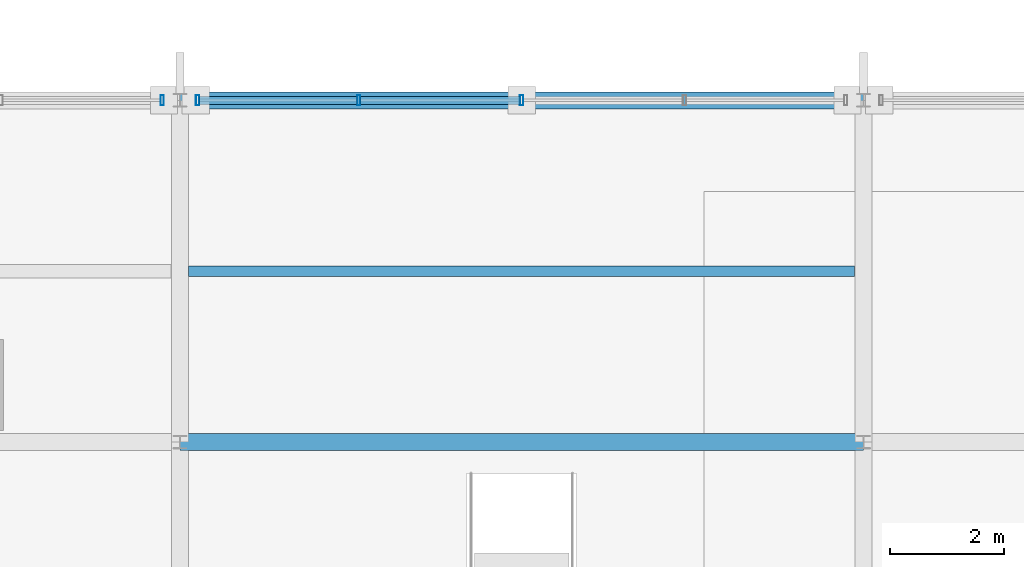
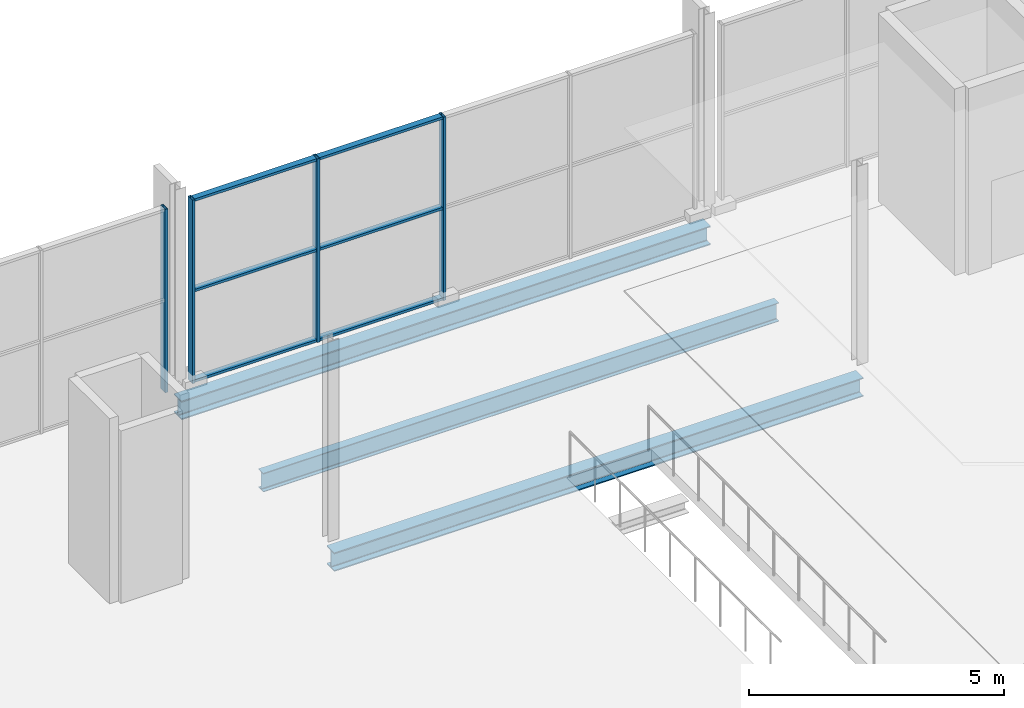
# One storey, part 59 of 159: 10 members, 3 beams, 2 elements without a shape of their own.
"""IFC4 building model written with IfcOpenShell, lengths in metres."""

from ifc_helpers import new_model, si_unit, direction, frame, origin, origin_2d, place, context, subcontext, project, spatial, hollow_rectangle, i_section, extrude, material, material_profile, profile_set, type_object, element, aggregate, save


model = new_model("IFC4")

# Units and contexts
model_context = context("Model", 3, precision=1e-05, world=origin(), true_north=direction((0.0, 1.0)))
body_context = subcontext(model_context, "Body", "Model", "MODEL_VIEW")
ifc_project = project(units=[si_unit("LENGTHUNIT", "METRE"), si_unit("AREAUNIT", "SQUARE_METRE"), si_unit("VOLUMEUNIT", "CUBIC_METRE"), si_unit("PLANEANGLEUNIT", "RADIAN"), si_unit("MASSUNIT", "GRAM", prefix="KILO")], contexts=[model_context])

# Site, building, storey
site_placement = place(None, origin())
site = spatial("IfcSite", under=ifc_project, at=site_placement, CompositionType="ELEMENT")
building_placement = place(site_placement, origin())
building = spatial("IfcBuilding", under=site, at=building_placement, Name="Merenkruunu Market Hall", CompositionType="ELEMENT")
storey_placement = place(building_placement, frame((0.0, 0.0, 5.39990234375)))
storey = spatial("IfcBuildingStorey", under=building, at=storey_placement, Name="L01", CompositionType="ELEMENT", Elevation=5.39990234375)

# Curtain wall, member
ifc_material_1 = material(Name="Powder-coated aluminium", Category="aluminium")
curtain_wall_type = type_object("IfcCurtainWallType", Name="Glazed Curtain Wall CW05", PredefinedType="USERDEFINED", material=ifc_material_1)
curtain_wall_1_placement = place(storey_placement, origin())
curtain_wall_1 = element("IfcCurtainWall", 1, at=curtain_wall_1_placement, inside=storey, type_object=curtain_wall_type, Name="CW-L01-CWM02-183", ObjectType="GLAZED_FACADE", PredefinedType="USERDEFINED")
ifc_material_profile_1 = material_profile(ifc_material_1, hollow_rectangle(XDim=0.06005859375, YDim=0.179931640625, WallThickness=0.00390625, at=origin_2d()), Name="ALU 60x180x4")
ifc_profile_set_1 = profile_set([ifc_material_profile_1], Name="Powder-coated aluminium")
member_type_1 = type_object("IfcMemberType", Name="Curtain Wall Mullion CWM02", PredefinedType="MULLION", material=ifc_profile_set_1)
member_1_placement = place(storey_placement, frame((88.489990234375, 45.60009765625, 0.0), z_axis=(0.0, 0.0, 1.0), x_axis=(1.0, 0.0, 0.0)))
member_1 = element("IfcMember", 2, at=member_1_placement, type_object=member_type_1, Name="CW05 mullion 5", PredefinedType="MULLION", context=body_context, shape_type="SweptSolid", body=[
    extrude(hollow_rectangle(XDim=0.06005859375, YDim=0.179931640625, WallThickness=0.00390625, at=origin_2d()), origin(), (0.0, 0.0, 1.0), 4.400146484375),
])
aggregate(curtain_wall_1, [member_1])

# Curtain wall, members
curtain_wall_2_placement = place(storey_placement, origin())
curtain_wall_2 = element("IfcCurtainWall", 3, at=curtain_wall_2_placement, inside=storey, type_object=curtain_wall_type, Name="CW-L01-CWM02-185", ObjectType="GLAZED_FACADE", PredefinedType="USERDEFINED")
member_2_placement = place(storey_placement, frame((89.110107421875, 45.60009765625, 0.0), z_axis=(0.0, 0.0, 1.0), x_axis=(1.0, 0.0, 0.0)))
member_2 = element("IfcMember", 4, at=member_2_placement, type_object=member_type_1, Name="CW05 mullion 1", PredefinedType="MULLION", context=body_context, shape_type="SweptSolid", body=[
    extrude(hollow_rectangle(XDim=0.06005859375, YDim=0.179931640625, WallThickness=0.00390625, at=origin_2d()), origin(), (0.0, 0.0, 1.0), 4.400146484375),
])
member_3_placement = place(storey_placement, frame((91.93994140625, 45.60009765625, 0.0), z_axis=(0.0, 0.0, 1.0), x_axis=(1.0, 0.0, 0.0)))
member_3 = element("IfcMember", 5, at=member_3_placement, type_object=member_type_1, Name="CW05 mullion 2", PredefinedType="MULLION", context=body_context, shape_type="SweptSolid", body=[
    extrude(hollow_rectangle(XDim=0.06005859375, YDim=0.179931640625, WallThickness=0.00390625, at=origin_2d()), origin(), (0.0, 0.0, 1.0), 4.400146484375),
])
member_4_placement = place(storey_placement, frame((94.800048828125, 45.60009765625, 0.0), z_axis=(0.0, 0.0, 1.0), x_axis=(1.0, 0.0, 0.0)))
member_4 = element("IfcMember", 6, at=member_4_placement, type_object=member_type_1, Name="CW05 mullion 3", PredefinedType="MULLION", context=body_context, shape_type="SweptSolid", body=[
    extrude(hollow_rectangle(XDim=0.06005859375, YDim=0.179931640625, WallThickness=0.00390625, at=origin_2d()), origin(), (0.0, 0.0, 1.0), 4.400146484375),
])
ifc_material_profile_2 = material_profile(ifc_material_1, hollow_rectangle(XDim=0.06005859375, YDim=0.139892578125, WallThickness=0.00390625, at=origin_2d()), Name="ALU 60x140x4")
ifc_profile_set_2 = profile_set([ifc_material_profile_2], Name="Powder-coated aluminium")
member_type_2 = type_object("IfcMemberType", Name="Curtain Wall Transom CWT02", PredefinedType="USERDEFINED", material=ifc_profile_set_2)
member_5_placement = place(storey_placement, frame((89.139892578125, 45.60009765625, 0.030029296875), z_axis=(1.0, 0.0, 0.0), x_axis=(0.0, 0.0, 1.0)))
member_5 = element("IfcMember", 7, at=member_5_placement, type_object=member_type_2, Name="CW05 transom 1.1", ObjectType="TRANSOM", PredefinedType="USERDEFINED", context=body_context, shape_type="SweptSolid", body=[
    extrude(hollow_rectangle(XDim=0.06005859375, YDim=0.139892578125, WallThickness=0.00390625, at=origin_2d()), origin(), (0.0, 0.0, 1.0), 2.77001953125),
])
member_6_placement = place(storey_placement, frame((89.139892578125, 45.60009765625, 2.2001953125), z_axis=(1.0, 0.0, 0.0), x_axis=(0.0, 0.0, 1.0)))
member_6 = element("IfcMember", 8, at=member_6_placement, type_object=member_type_2, Name="CW05 transom 1.2", ObjectType="TRANSOM", PredefinedType="USERDEFINED", context=body_context, shape_type="SweptSolid", body=[
    extrude(hollow_rectangle(XDim=0.06005859375, YDim=0.139892578125, WallThickness=0.00390625, at=origin_2d()), origin(), (0.0, 0.0, 1.0), 2.77001953125),
])
member_7_placement = place(storey_placement, frame((89.139892578125, 45.60009765625, 4.3701171875), z_axis=(1.0, 0.0, 0.0), x_axis=(0.0, 0.0, 1.0)))
member_7 = element("IfcMember", 9, at=member_7_placement, type_object=member_type_2, Name="CW05 transom 1.3", ObjectType="TRANSOM", PredefinedType="USERDEFINED", context=body_context, shape_type="SweptSolid", body=[
    extrude(hollow_rectangle(XDim=0.06005859375, YDim=0.139892578125, WallThickness=0.00390625, at=origin_2d()), origin(), (0.0, 0.0, 1.0), 2.77001953125),
])
member_8_placement = place(storey_placement, frame((91.969970703125, 45.60009765625, 0.030029296875), z_axis=(1.0, 0.0, 0.0), x_axis=(0.0, 0.0, 1.0)))
member_8 = element("IfcMember", 10, at=member_8_placement, type_object=member_type_2, Name="CW05 transom 2.1", ObjectType="TRANSOM", PredefinedType="USERDEFINED", context=body_context, shape_type="SweptSolid", body=[
    extrude(hollow_rectangle(XDim=0.06005859375, YDim=0.139892578125, WallThickness=0.00390625, at=origin_2d()), origin(), (0.0, 0.0, 1.0), 2.800048828125),
])
member_9_placement = place(storey_placement, frame((91.969970703125, 45.60009765625, 2.2001953125), z_axis=(1.0, 0.0, 0.0), x_axis=(0.0, 0.0, 1.0)))
member_9 = element("IfcMember", 11, at=member_9_placement, type_object=member_type_2, Name="CW05 transom 2.2", ObjectType="TRANSOM", PredefinedType="USERDEFINED", context=body_context, shape_type="SweptSolid", body=[
    extrude(hollow_rectangle(XDim=0.06005859375, YDim=0.139892578125, WallThickness=0.00390625, at=origin_2d()), origin(), (0.0, 0.0, 1.0), 2.800048828125),
])
member_10_placement = place(storey_placement, frame((91.969970703125, 45.60009765625, 4.3701171875), z_axis=(1.0, 0.0, 0.0), x_axis=(0.0, 0.0, 1.0)))
member_10 = element("IfcMember", 12, at=member_10_placement, type_object=member_type_2, Name="CW05 transom 2.3", ObjectType="TRANSOM", PredefinedType="USERDEFINED", context=body_context, shape_type="SweptSolid", body=[
    extrude(hollow_rectangle(XDim=0.06005859375, YDim=0.139892578125, WallThickness=0.00390625, at=origin_2d()), origin(), (0.0, 0.0, 1.0), 2.800048828125),
])
aggregate(curtain_wall_2, [member_2, member_3, member_4, member_5, member_6, member_7, member_8, member_9, member_10])

# Beams
ifc_material_2 = material(Name="Steel S355J2", Category="steel")
ifc_material_profile_3 = material_profile(ifc_material_2, i_section(OverallWidth=0.300048828125, OverallDepth=0.449951171875, WebThickness=0.013916015625, FlangeThickness=0.02587890625, FilletRadius=0.027099609375, at=origin_2d()), Name="HEB 450")
ifc_profile_set_3 = profile_set([ifc_material_profile_3], Name="Steel S355J2")
beam_type_1 = type_object("IfcBeamType", Name="Primary Floor Girder B03", PredefinedType="BEAM", material=ifc_profile_set_3)
for number, where, z_axis, x_axis, name in (
    (13, (88.800048828125, 39.60009765625, -0.5048828125), (1.0, 0.0, 0.0), (0.0, 1.0, 0.0), "BM-L01-B03-0498"),
    (14, (88.800048828125, 45.60009765625, -0.5048828125), (1.0, 0.0, 0.0), (0.0, 1.0, 0.0), "BM-L01-B03-0510"),
):
    element("IfcBeam", number, at=place(storey_placement, frame(where, z_axis=z_axis, x_axis=x_axis)), inside=storey, type_object=beam_type_1, Name=name, PredefinedType="BEAM", context=body_context, shape_type="SweptSolid", body=[
        extrude(i_section(OverallWidth=0.300048828125, OverallDepth=0.449951171875, WebThickness=0.013916015625, FlangeThickness=0.02587890625, FilletRadius=0.027099609375, at=origin_2d()), origin(), (0.0, 0.0, 1.0), 12.0),
    ])
ifc_material_profile_4 = material_profile(ifc_material_2, i_section(OverallWidth=0.18994140625, OverallDepth=0.449951171875, WebThickness=0.009521484375, FlangeThickness=0.0146484375, FilletRadius=0.02099609375, at=origin_2d()), Name="IPE 450")
ifc_profile_set_4 = profile_set([ifc_material_profile_4], Name="Steel S355J2")
beam_type_2 = type_object("IfcBeamType", Name="Secondary Floor Joist J01", PredefinedType="JOIST", material=ifc_profile_set_4)
beam_placement = place(storey_placement, frame((88.952880859375, 42.60009765625, -0.5048828125), z_axis=(1.0, 0.0, 0.0), x_axis=(0.0, 1.0, 0.0)))
element("IfcBeam", 15, at=beam_placement, inside=storey, type_object=beam_type_2, Name="BM-L01-J01-0690", PredefinedType="JOIST", context=body_context, shape_type="SweptSolid", body=[
    extrude(i_section(OverallWidth=0.18994140625, OverallDepth=0.449951171875, WebThickness=0.009521484375, FlangeThickness=0.0146484375, FilletRadius=0.02099609375, at=origin_2d()), origin(), (0.0, 0.0, 1.0), 11.694091796875),
])

save(model, "model.ifc")
